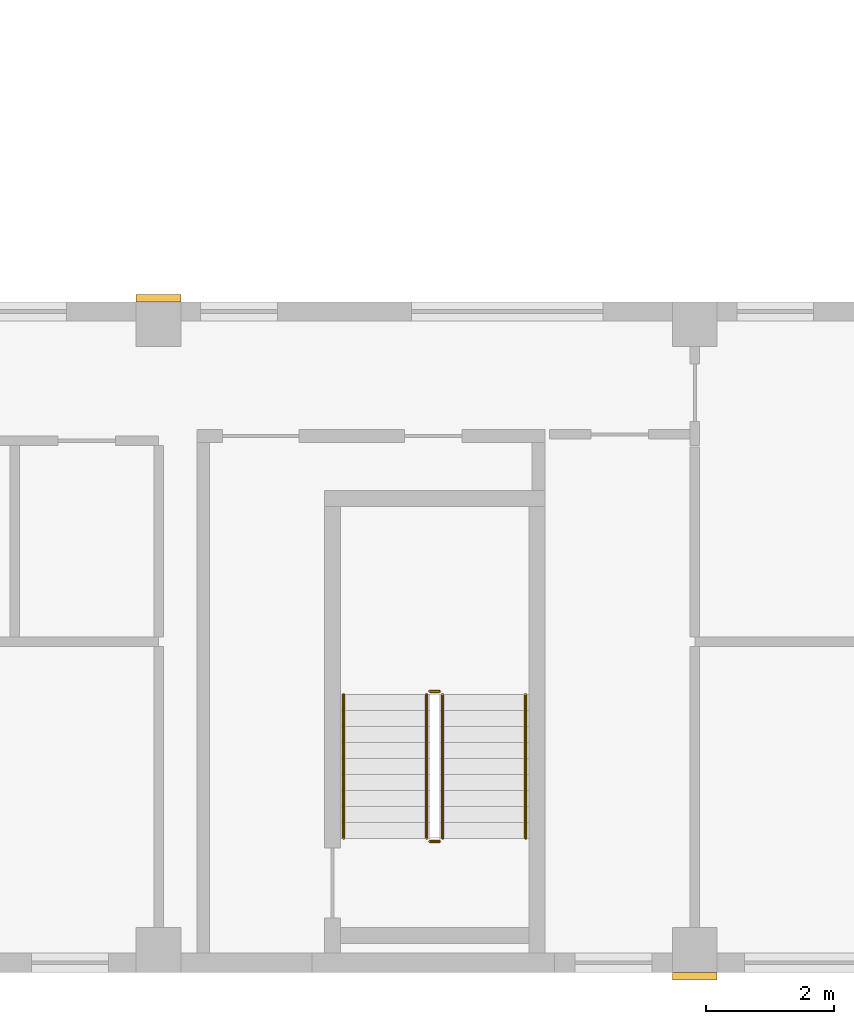
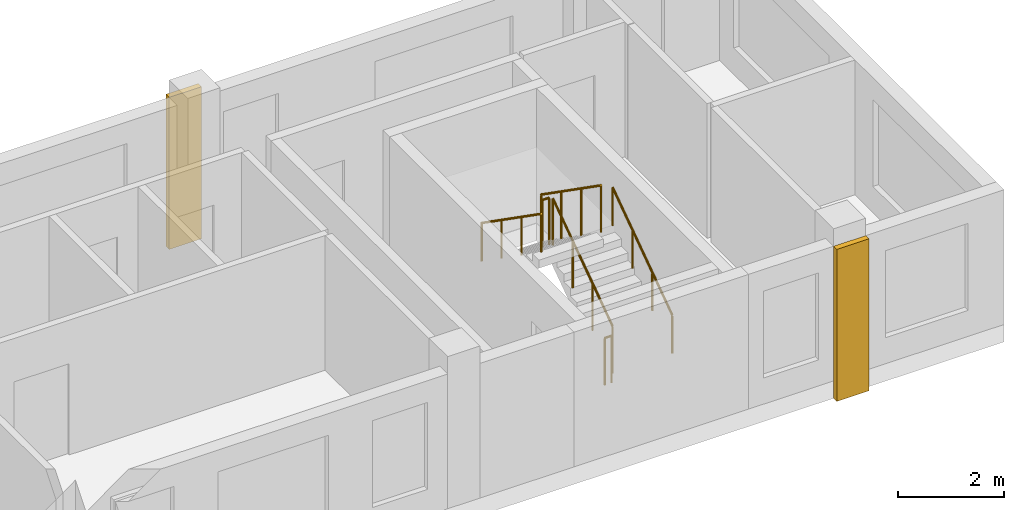
# One storey, part 8 of 9: 6 railings, 2 coverings.
"""IFC4 building model written with IfcOpenShell, lengths in metres."""

import ifcopenshell
import ifcopenshell.guid

model = None  # the IFC model being written
_history = None  # IfcOwnerHistory: only IFC2X3 demands one
_inside = {}  # id of a spatial element -> (the spatial element, [elements in it])
_under = {}  # id of a project, library or spatial element -> (it, [spatial elements below it])
_declared = {}  # id of a project -> (the project, [libraries it declares])
_typed = {}  # id of a type object -> (the type object, [elements of that type])
_made_of = {}  # id of a material, layer set ... -> (it, [elements and type objects made of it])


def new_model(schema):
    """Start an empty IFC model of exactly this schema.

    Asked for "IFC4X3", IfcOpenShell would pick the latest addendum, in which some entities
    have other attributes; the version numbers below select the first issue.
    IFC2X3 requires an IfcOwnerHistory on every rooted entity: one is made here for all.
    """
    global model, _history
    if schema == "IFC4X3":
        model = ifcopenshell.file(schema_version=(4, 3, 0, 0))
    else:
        model = ifcopenshell.file(schema=schema)
    _inside.clear()
    _under.clear()
    _declared.clear()
    _typed.clear()
    _made_of.clear()
    _history = None
    if model.schema == "IFC2X3":
        org = make("IfcOrganization", Name="unknown")
        user = make(
            "IfcPersonAndOrganization",
            ThePerson=make("IfcPerson", FamilyName="unknown"),
            TheOrganization=org,
        )
        app = make(
            "IfcApplication",
            ApplicationDeveloper=org,
            Version="unknown",
            ApplicationFullName="unknown",
            ApplicationIdentifier="unknown",
        )
        _history = make(
            "IfcOwnerHistory",
            OwningUser=user,
            OwningApplication=app,
            ChangeAction="ADDED",
            CreationDate=0,
        )
    return model


def make(cls, **values):
    """One entity of the class cls with the attributes given. An attribute that is None is left unset."""
    return model.create_entity(
        cls, **{name: value for name, value in values.items() if value is not None}
    )


def rooted(cls, **values):
    """An entity with a GlobalId (a new one), such as an element, a storey or a relation."""
    return make(cls, GlobalId=ifcopenshell.guid.new(), OwnerHistory=_history, **values)


def si_unit(unit_type, name, prefix=None):
    """IfcSIUnit, for example si_unit("LENGTHUNIT", "METRE", prefix="MILLI")."""
    return make("IfcSIUnit", UnitType=unit_type, Prefix=prefix, Name=name)


def assignment(units):
    """IfcUnitAssignment: the units of a project."""
    return None if units is None else make("IfcUnitAssignment", Units=units)


def point(xyz):
    """IfcCartesianPoint."""
    return None if xyz is None else make("IfcCartesianPoint", Coordinates=xyz)


def direction(xyz):
    """IfcDirection."""
    return None if xyz is None else make("IfcDirection", DirectionRatios=xyz)


def frame(location, z_axis=None, x_axis=None):
    """IfcAxis2Placement3D, a coordinate frame: its origin and axes. An axis left out is left unset."""
    return make(
        "IfcAxis2Placement3D",
        Location=point(location),
        Axis=direction(z_axis),
        RefDirection=direction(x_axis),
    )


def frame_2d(location, x_axis=None):
    """IfcAxis2Placement2D, a coordinate frame in the plane: its origin and x axis."""
    return make(
        "IfcAxis2Placement2D", Location=point(location), RefDirection=direction(x_axis)
    )


def origin():
    """The frame at (0, 0, 0) with its axes left unset."""
    return frame((0.0, 0.0, 0.0))


def origin_2d():
    """The frame at (0, 0) in the plane with its x axis left unset."""
    return frame_2d((0.0, 0.0))


def place(relative_to, where):
    """IfcLocalPlacement: puts the frame where relative to a parent placement (None: the world)."""
    return make(
        "IfcLocalPlacement", PlacementRelTo=relative_to, RelativePlacement=where
    )


def context(
    kind, dimensions, precision=None, world=None, true_north=None, identifier=None
):
    """IfcGeometricRepresentationContext, for example the 3D "Model" context."""
    return make(
        "IfcGeometricRepresentationContext",
        ContextIdentifier=identifier,
        ContextType=kind,
        CoordinateSpaceDimension=dimensions,
        Precision=precision,
        WorldCoordinateSystem=world,
        TrueNorth=true_north,
    )


def subcontext(parent, identifier, kind, view, scale=None):
    """IfcGeometricRepresentationSubContext, for example "Body" below "Model"."""
    return make(
        "IfcGeometricRepresentationSubContext",
        ContextIdentifier=identifier,
        ContextType=kind,
        ParentContext=parent,
        TargetScale=scale,
        TargetView=view,
    )


def project(units=None, contexts=None):
    """IfcProject with its units and contexts."""
    return rooted(
        "IfcProject",
        Name="project",
        RepresentationContexts=contexts,
        UnitsInContext=assignment(units),
    )


def spatial(cls, under=None, at=None, **own):
    """A site, building, storey or space (cls), placed at a placement, below another one or the project."""
    s = rooted(cls, ObjectPlacement=at, **own)
    if under is not None:
        _under.setdefault(under.id(), (under, []))[1].append(s)
    return s


def profile(cls, at=None, kind="AREA", **sizes):
    """A parametric profile (cls). Its sizes go by their IFC names, for example OverallWidth=200.0."""
    return make(cls, ProfileType=kind, Position=at, **sizes)


def rectangle(**sizes):
    """IfcRectangleProfileDef."""
    return profile("IfcRectangleProfileDef", **sizes)


def circle(**sizes):
    """IfcCircleProfileDef."""
    return profile("IfcCircleProfileDef", **sizes)


def extrude(swept, where, along, depth):
    """IfcExtrudedAreaSolid: the profile swept, set in the frame where, extruded along a direction by depth."""
    return make(
        "IfcExtrudedAreaSolid",
        SweptArea=swept,
        Position=where,
        ExtrudedDirection=direction(along),
        Depth=depth,
    )


def shape(context_of_items, identifier, shape_type, items):
    """IfcShapeRepresentation: the items that make up one representation, for example the "Body"."""
    return make(
        "IfcShapeRepresentation",
        ContextOfItems=context_of_items,
        RepresentationIdentifier=identifier,
        RepresentationType=shape_type,
        Items=items,
    )


def source(mapping_origin, context_of_items, identifier, shape_type, items):
    """IfcRepresentationMap: a shape defined once, which mapped items show again and again."""
    return make(
        "IfcRepresentationMap",
        MappingOrigin=mapping_origin,
        MappedRepresentation=shape(context_of_items, identifier, shape_type, items),
    )


def transform(
    local_origin,
    x_axis=None,
    y_axis=None,
    z_axis=None,
    scale=None,
    scale2=None,
    scale3=None,
    uniform=True,
):
    """IfcCartesianTransformationOperator3D, or its non-uniform kind. x_axis, y_axis, z_axis: its Axis1, 2, 3."""
    if uniform:
        return make(
            "IfcCartesianTransformationOperator3D",
            Axis1=direction(x_axis),
            Axis2=direction(y_axis),
            LocalOrigin=point(local_origin),
            Scale=scale,
            Axis3=direction(z_axis),
        )
    return make(
        "IfcCartesianTransformationOperator3DnonUniform",
        Axis1=direction(x_axis),
        Axis2=direction(y_axis),
        LocalOrigin=point(local_origin),
        Scale=scale,
        Axis3=direction(z_axis),
        Scale2=scale2,
        Scale3=scale3,
    )


def mapped(mapping_source, mapping_target):
    """IfcMappedItem: shows the shape of a source again, moved by a transform."""
    return make(
        "IfcMappedItem", MappingSource=mapping_source, MappingTarget=mapping_target
    )


def material(Name=None, Category=None):
    """IfcMaterial."""
    return make("IfcMaterial", Name=Name, Category=Category)


def made_of(thing, what):
    """Note that an element or type object is made of a material, layer set ...; save() writes the relation."""
    if what is not None:
        _made_of.setdefault(what.id(), (what, []))[1].append(thing)
    return thing


def type_object(cls, material=None, **own):
    """A type object (cls), such as IfcWallType, which elements share."""
    return made_of(rooted(cls, **own), material)


def element(
    cls,
    number,
    at=None,
    inside=None,
    cuts=None,
    type_object=None,
    material=None,
    context=None,
    identifier="Body",
    shape_type=None,
    held_by="IfcProductDefinitionShape",
    body=None,
    shapes=None,
    **own,
):
    """One element of the class cls, such as IfcWall. Its Tag is "e" and its number.

    at: its placement. inside: the storey or other place that contains it. cuts: it is an
    opening in that element (IfcRelVoidsElement). A single representation is given by context,
    identifier, shape_type and body (its items); several are given by shapes. held_by: the class
    of the entity that holds the representations. save() writes the other relations.
    """
    e = rooted(cls, Tag="e%d" % number, ObjectPlacement=at, **own)
    if body is not None:
        shapes = [shape(context, identifier, shape_type, body)]
    if shapes is not None:
        e.Representation = make(held_by, Representations=shapes)
    if inside is not None:
        _inside.setdefault(inside.id(), (inside, []))[1].append(e)
    if cuts is not None:
        rooted(
            "IfcRelVoidsElement", RelatingBuildingElement=cuts, RelatedOpeningElement=e
        )
    if type_object is not None:
        _typed.setdefault(type_object.id(), (type_object, []))[1].append(e)
    return made_of(e, material)


def aggregate(whole, parts):
    """IfcRelAggregates: a whole, such as a stair, and the parts it consists of."""
    return rooted("IfcRelAggregates", RelatingObject=whole, RelatedObjects=parts)


def save(model, path):
    """Write the relations noted so far, then the file.

    IfcRelAggregates (storeys below a building ...), IfcRelContainedInSpatialStructure (elements
    in a storey), IfcRelDefinesByType, IfcRelAssociatesMaterial and IfcRelDeclares: one each for
    every whole, place, type object, material and project.
    """
    for whole, parts in _under.values():
        aggregate(whole, parts)
    for where, things in _inside.values():
        rooted(
            "IfcRelContainedInSpatialStructure",
            RelatedElements=things,
            RelatingStructure=where,
        )
    for kind, things in _typed.values():
        rooted("IfcRelDefinesByType", RelatedObjects=things, RelatingType=kind)
    for what, things in _made_of.values():
        rooted("IfcRelAssociatesMaterial", RelatedObjects=things, RelatingMaterial=what)
    for by, libraries in _declared.values():
        rooted("IfcRelDeclares", RelatingContext=by, RelatedDefinitions=libraries)
    model.write(path)


model = new_model("IFC4")

# Units and contexts
model_context = context("Model", 3, precision=1e-05, world=origin(), true_north=direction((0.0, 1.0)))
body_context = subcontext(model_context, "Body", "Model", "MODEL_VIEW")
ifc_project = project(units=[si_unit("LENGTHUNIT", "METRE"), si_unit("AREAUNIT", "SQUARE_METRE"), si_unit("VOLUMEUNIT", "CUBIC_METRE"), si_unit("PLANEANGLEUNIT", "RADIAN"), si_unit("MASSUNIT", "GRAM", prefix="KILO")], contexts=[model_context])

# Site, building, storey
site_placement = place(None, origin())
site = spatial("IfcSite", under=ifc_project, at=site_placement, CompositionType="ELEMENT")
building_placement = place(site_placement, origin())
building = spatial("IfcBuilding", under=site, at=building_placement, Name="Aurelian Terraces", CompositionType="ELEMENT")
storey_placement = place(building_placement, frame((0.0, 0.0, 316.0)))
storey = spatial("IfcBuildingStorey", under=building, at=storey_placement, Name="L73", CompositionType="ELEMENT", Elevation=316.0)

# Coverings
ifc_material_1 = material(Name="Terracotta rainscreen cladding relief", Category="masonry")
covering_type = type_object("IfcCoveringType", Name="BAGUETTE-TC", PredefinedType="CLADDING", material=ifc_material_1)
shared_shape_1 = source(origin(), body_context, "Body", "SweptSolid", [
    extrude(rectangle(XDim=0.7, YDim=0.12, at=origin_2d()), origin(), (0.0, 0.0, 1.0), 3.5),
])
for number, where, z_axis, x_axis, name in (
    (1, (46.2, -0.06, -0.4), (0.0, 0.0, 1.0), (1.0, 0.0, 0.0), "BAGUETTE pier L73 3"),
    (2, (37.8, 10.56, -0.4), (0.0, 0.0, 1.0), (1.0, 0.0, 0.0), "BAGUETTE pier L73 4"),
):
    element("IfcCovering", number, at=place(storey_placement, frame(where, z_axis=z_axis, x_axis=x_axis)), inside=storey, type_object=covering_type, Name=name, PredefinedType="CLADDING", context=body_context, shape_type="MappedRepresentation", body=[
        mapped(shared_shape_1, transform((0.0, 0.0, 0.0), scale=1.0)),
    ])

# Railings
ifc_material_2 = material(Name="Stainless steel", Category="steel")
railing_type_1 = type_object("IfcRailingType", Name="Stair guard 1100", PredefinedType="GUARDRAIL", material=ifc_material_2)
shared_shape_2 = source(origin(), body_context, "Body", "SweptSolid", [
    extrude(circle(Radius=0.024, at=origin_2d()), frame((0.0, 0.0, 1.076), z_axis=(-1.0, 0.0, 0.0), x_axis=(0.0, -1.0, 0.0)), (0.0, 0.0, 1.0), 0.15),
    extrude(circle(Radius=0.021, at=origin_2d()), origin(), (0.0, 0.0, 1.0), 1.052),
    extrude(circle(Radius=0.021, at=origin_2d()), frame((-0.15, 0.0, 0.0)), (0.0, 0.0, 1.0), 1.052),
])
for number, where, name in (
    (3, (42.2, 4.4, 1.75), "L73 S2 stair guard 2"),
    (4, (42.2, 2.05, 0.0), "L73 S2 stair guard 4"),
):
    element("IfcRailing", number, at=place(storey_placement, frame(where)), inside=storey, type_object=railing_type_1, Name=name, PredefinedType="GUARDRAIL", context=body_context, shape_type="MappedRepresentation", body=[
        mapped(shared_shape_2, transform((0.0, 0.0, 0.0), scale=1.0)),
    ])
shared_shape_3 = source(origin(), body_context, "Body", "SweptSolid", [
    extrude(circle(Radius=0.024, at=origin_2d()), frame((0.0, 0.0, 1.076), z_axis=(0.0, 0.819231920519, 0.573462344363), x_axis=(-1.0, 0.0, 0.0)), (0.0, 0.0, 1.0), 2.7465),
    extrude(circle(Radius=0.021, at=origin_2d()), origin(), (0.0, 0.0, 1.0), 1.052),
    extrude(circle(Radius=0.021, at=origin_2d()), frame((0.0, 0.75, 0.525)), (0.0, 0.0, 1.0), 1.052),
    extrude(circle(Radius=0.021, at=origin_2d()), frame((0.0, 1.5, 1.05)), (0.0, 0.0, 1.0), 1.052),
    extrude(circle(Radius=0.021, at=origin_2d()), frame((0.0, 2.25, 1.575)), (0.0, 0.0, 1.0), 1.052),
])
railing_1_placement = place(storey_placement, frame((42.25, 2.1, 0.175)))
element("IfcRailing", 5, at=railing_1_placement, inside=storey, type_object=railing_type_1, Name="L73 S2 stair guard 1", PredefinedType="GUARDRAIL", context=body_context, shape_type="MappedRepresentation", body=[
    mapped(shared_shape_3, transform((0.0, 0.0, 0.0), scale=1.0)),
])
shared_shape_4 = source(origin(), body_context, "Body", "SweptSolid", [
    extrude(circle(Radius=0.024, at=origin_2d()), frame((0.0, 0.0, 1.076), z_axis=(0.0, -0.819231920519, 0.573462344363), x_axis=(1.0, 0.0, 0.0)), (0.0, 0.0, 1.0), 2.7465),
    extrude(circle(Radius=0.021, at=origin_2d()), origin(), (0.0, 0.0, 1.0), 1.052),
    extrude(circle(Radius=0.021, at=origin_2d()), frame((0.0, -0.75, 0.525)), (0.0, 0.0, 1.0), 1.052),
    extrude(circle(Radius=0.021, at=origin_2d()), frame((0.0, -1.5, 1.05)), (0.0, 0.0, 1.0), 1.052),
    extrude(circle(Radius=0.021, at=origin_2d()), frame((0.0, -2.25, 1.575)), (0.0, 0.0, 1.0), 1.052),
])
railing_2_placement = place(storey_placement, frame((42.0, 4.35, 1.925)))
element("IfcRailing", 6, at=railing_2_placement, inside=storey, type_object=railing_type_1, Name="L73 S2 stair guard 3", PredefinedType="GUARDRAIL", context=body_context, shape_type="MappedRepresentation", body=[
    mapped(shared_shape_4, transform((0.0, 0.0, 0.0), scale=1.0)),
])
railing_type_2 = type_object("IfcRailingType", Name="Stair handrail", PredefinedType="HANDRAIL", material=ifc_material_2)
shared_shape_5 = source(origin(), body_context, "Body", "SweptSolid", [
    extrude(circle(Radius=0.024, at=origin_2d()), frame((0.0, 0.0, 0.876), z_axis=(0.0, 0.819231920519, 0.573462344363), x_axis=(-1.0, 0.0, 0.0)), (0.0, 0.0, 1.0), 2.7465),
    extrude(circle(Radius=0.021, at=origin_2d()), origin(), (0.0, 0.0, 1.0), 0.852),
    extrude(circle(Radius=0.021, at=origin_2d()), frame((0.0, 0.75, 0.525)), (0.0, 0.0, 1.0), 0.852),
    extrude(circle(Radius=0.021, at=origin_2d()), frame((0.0, 1.5, 1.05)), (0.0, 0.0, 1.0), 0.852),
    extrude(circle(Radius=0.021, at=origin_2d()), frame((0.0, 2.25, 1.575)), (0.0, 0.0, 1.0), 0.852),
])
railing_3_placement = place(storey_placement, frame((43.55, 2.1, 0.175)))
element("IfcRailing", 7, at=railing_3_placement, inside=storey, type_object=railing_type_2, Name="L73 S2 stair handrail 1", PredefinedType="HANDRAIL", context=body_context, shape_type="MappedRepresentation", body=[
    mapped(shared_shape_5, transform((0.0, 0.0, 0.0), scale=1.0)),
])
shared_shape_6 = source(origin(), body_context, "Body", "SweptSolid", [
    extrude(circle(Radius=0.024, at=origin_2d()), frame((0.0, 0.0, 0.876), z_axis=(0.0, -0.819231920519, 0.573462344363), x_axis=(1.0, 0.0, 0.0)), (0.0, 0.0, 1.0), 2.7465),
    extrude(circle(Radius=0.021, at=origin_2d()), origin(), (0.0, 0.0, 1.0), 0.852),
    extrude(circle(Radius=0.021, at=origin_2d()), frame((0.0, -0.75, 0.525)), (0.0, 0.0, 1.0), 0.852),
    extrude(circle(Radius=0.021, at=origin_2d()), frame((0.0, -1.5, 1.05)), (0.0, 0.0, 1.0), 0.852),
    extrude(circle(Radius=0.021, at=origin_2d()), frame((0.0, -2.25, 1.575)), (0.0, 0.0, 1.0), 0.852),
])
railing_4_placement = place(storey_placement, frame((40.7, 4.35, 1.925)))
element("IfcRailing", 8, at=railing_4_placement, inside=storey, type_object=railing_type_2, Name="L73 S2 stair handrail 2", PredefinedType="HANDRAIL", context=body_context, shape_type="MappedRepresentation", body=[
    mapped(shared_shape_6, transform((0.0, 0.0, 0.0), scale=1.0)),
])

save(model, "model.ifc")
